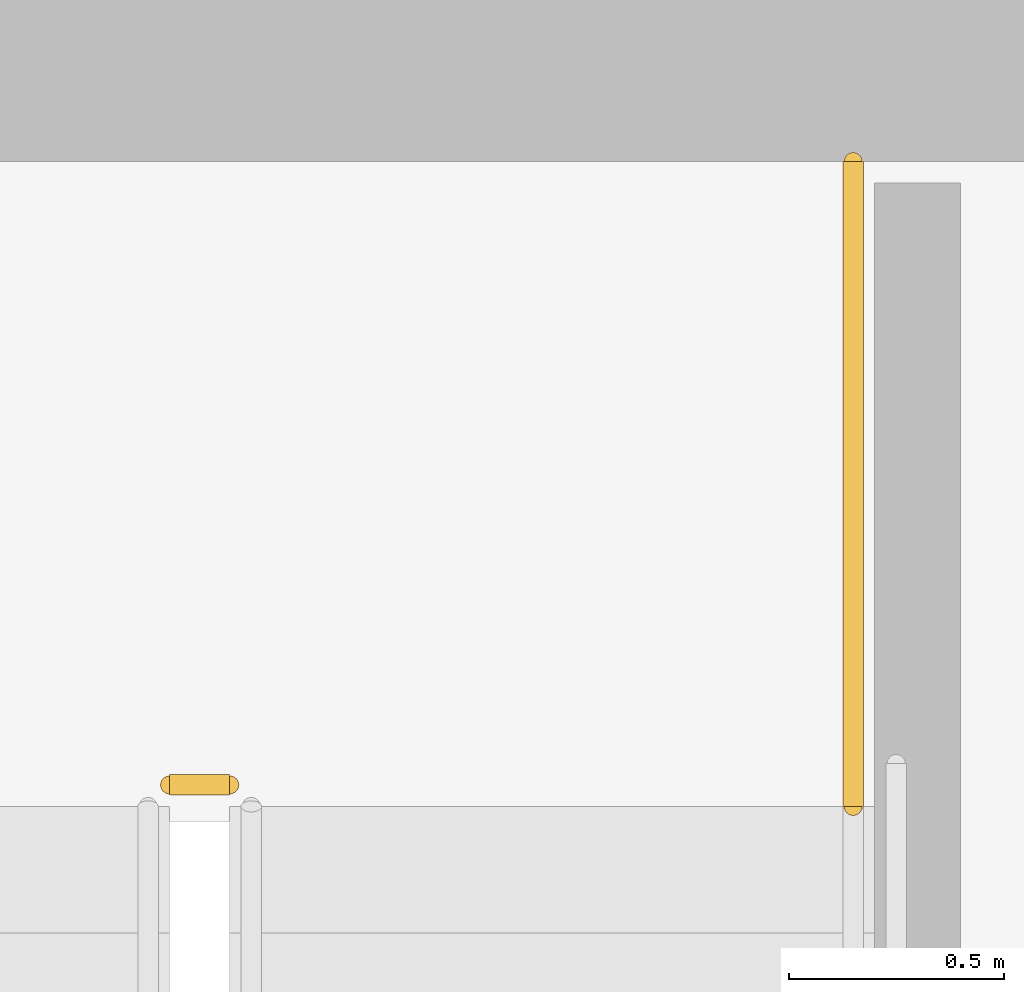
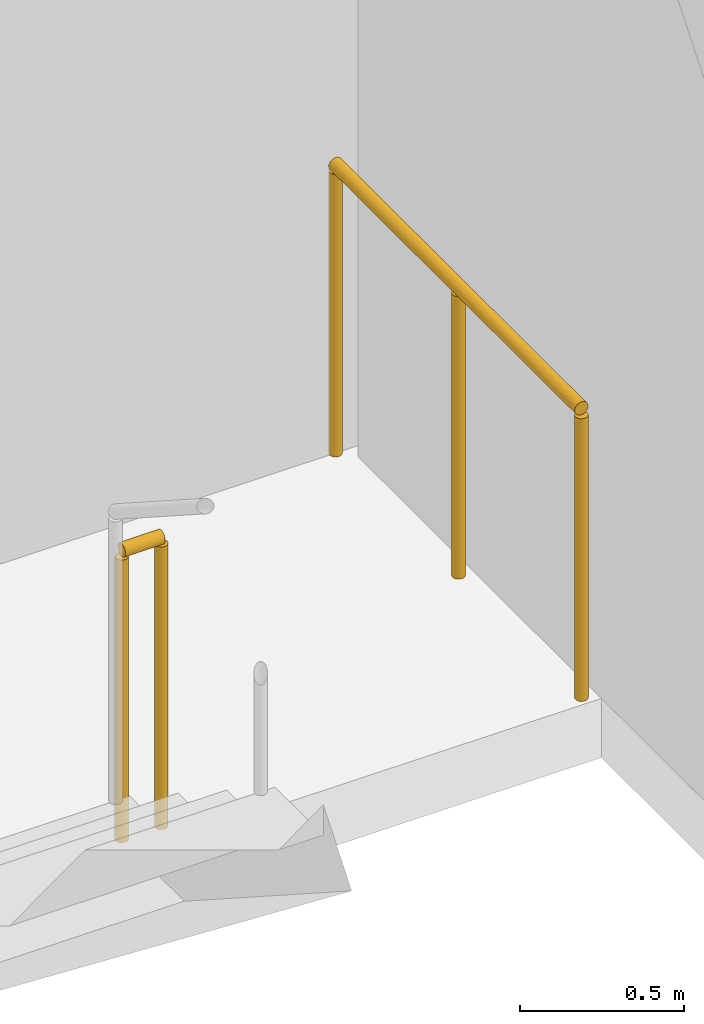
# One storey, part 32 of 32: 2 railings.
"""IFC4 building model written with IfcOpenShell, lengths in metres."""

from ifc_helpers import new_model, si_unit, direction, frame, origin, origin_2d, place, context, subcontext, project, spatial, circle, extrude, material, layer, layer_set, type_object, element, save


model = new_model("IFC4")

# Units and contexts
model_context = context("Model", 3, precision=1e-05, world=origin(), true_north=direction((0.0, 1.0)))
body_context = subcontext(model_context, "Body", "Model", "MODEL_VIEW")
ifc_project = project(units=[si_unit("LENGTHUNIT", "METRE"), si_unit("AREAUNIT", "SQUARE_METRE"), si_unit("VOLUMEUNIT", "CUBIC_METRE"), si_unit("PLANEANGLEUNIT", "RADIAN"), si_unit("MASSUNIT", "GRAM", prefix="KILO")], contexts=[model_context])

# Site, building, storey
site_placement = place(None, origin())
site = spatial("IfcSite", under=ifc_project, at=site_placement, CompositionType="ELEMENT")
building_placement = place(site_placement, origin())
building = spatial("IfcBuilding", under=site, at=building_placement, Name="Ndaravel Arena Tower", CompositionType="ELEMENT")
storey_placement = place(building_placement, frame((0.0, 0.0, 96.800048828125)))
storey = spatial("IfcBuildingStorey", under=building, at=storey_placement, Name="L22", CompositionType="ELEMENT", Elevation=96.800048828125)

# Railings
ifc_material = material(Name="Steel S355", Category="steel")
ifc_layer = layer(ifc_material, 0.06005859375)
ifc_layer_set = layer_set([ifc_layer], Name="Steel S355")
railing_type = type_object("IfcRailingType", Name="RAIL-STAIR-GD1100", PredefinedType="GUARDRAIL", material=ifc_layer_set)
railing_1_placement = place(storey_placement, frame((55.10009765625, 13.300048828125, 0.0)))
element("IfcRailing", 1, at=railing_1_placement, inside=storey, type_object=railing_type, Name="L22 ST-3 stair guard 4", PredefinedType="GUARDRAIL", context=body_context, shape_type="SweptSolid", body=[
    extrude(circle(Radius=0.02392578125, at=origin_2d()), frame((0.0, 0.0, 1.076171875), z_axis=(1.0, 0.0, 0.0), x_axis=(0.0, 1.0, 0.0)), (0.0, 0.0, 1.0), 0.139892578125),
    extrude(circle(Radius=0.02099609375, at=origin_2d()), origin(), (0.0, 0.0, 1.0), 1.052001953125),
    extrude(circle(Radius=0.02099609375, at=origin_2d()), frame((0.139892578125, 0.0, 0.0)), (0.0, 0.0, 1.0), 1.052001953125),
])
railing_2_placement = place(storey_placement, frame((56.68994140625, 14.75, 0.0)))
element("IfcRailing", 2, at=railing_2_placement, inside=storey, type_object=railing_type, Name="L22 ST-3 stair guard 5", PredefinedType="GUARDRAIL", context=body_context, shape_type="SweptSolid", body=[
    extrude(circle(Radius=0.02392578125, at=origin_2d()), frame((0.0, 0.0, 1.076171875), z_axis=(0.0, -1.0, 0.0), x_axis=(1.0, 0.0, 0.0)), (0.0, 0.0, 1.0), 1.5),
    extrude(circle(Radius=0.02099609375, at=origin_2d()), origin(), (0.0, 0.0, 1.0), 1.052001953125),
    extrude(circle(Radius=0.02099609375, at=origin_2d()), frame((0.0, -0.75, 0.0)), (0.0, 0.0, 1.0), 1.052001953125),
    extrude(circle(Radius=0.02099609375, at=origin_2d()), frame((0.0, -1.5, 0.0)), (0.0, 0.0, 1.0), 1.052001953125),
])

save(model, "model.ifc")
